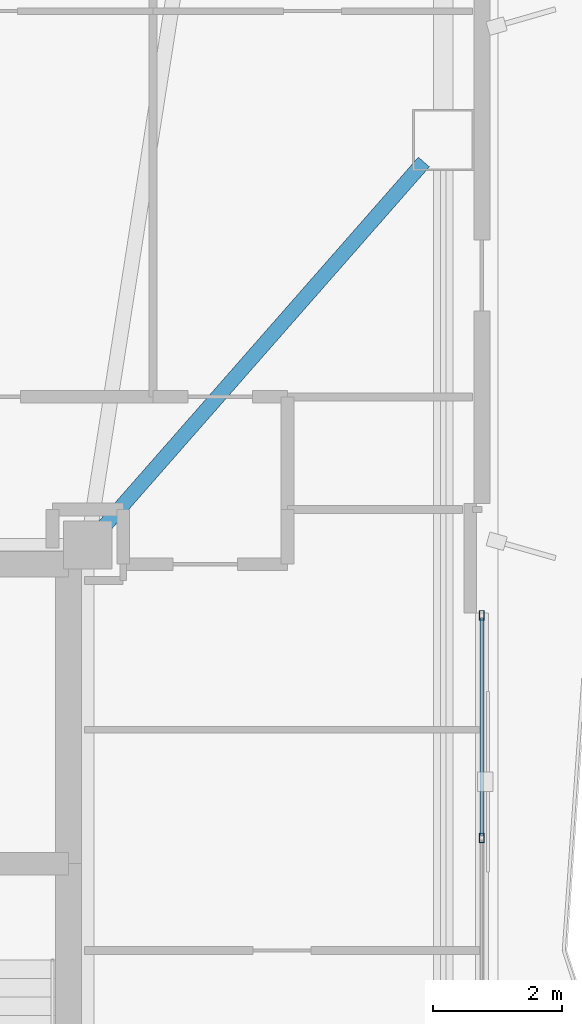
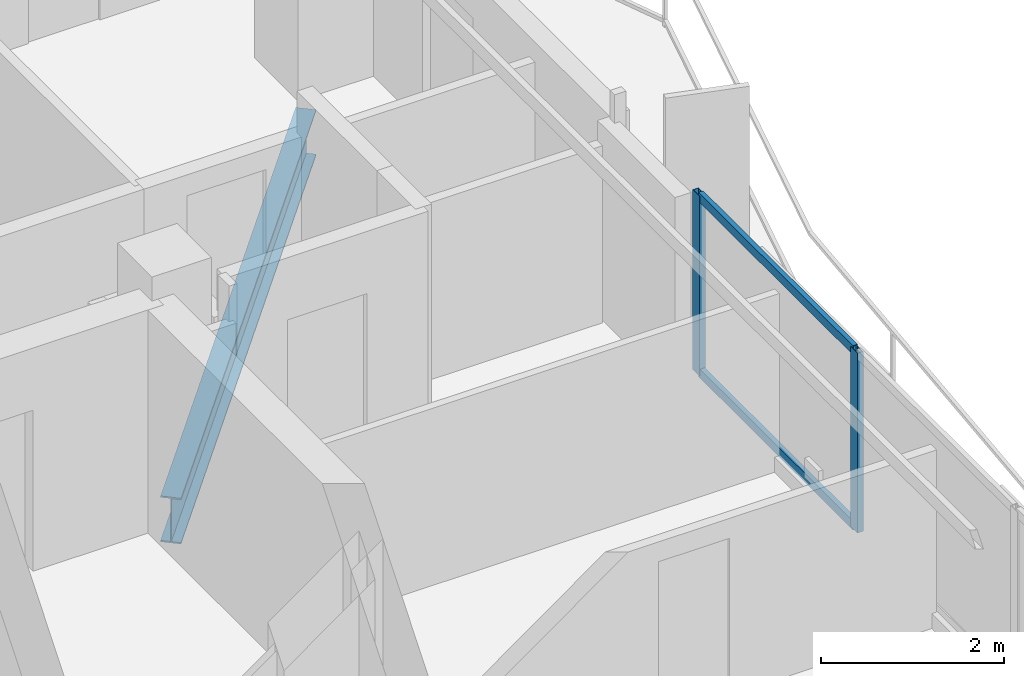
# One storey, part 9 of 18: 4 members, 1 beam, 1 element without a shape of its own.
"""IFC4 building model written with IfcOpenShell, lengths in metres."""

import ifcopenshell
import ifcopenshell.guid

model = None  # the IFC model being written
_history = None  # IfcOwnerHistory: only IFC2X3 demands one
_inside = {}  # id of a spatial element -> (the spatial element, [elements in it])
_under = {}  # id of a project, library or spatial element -> (it, [spatial elements below it])
_declared = {}  # id of a project -> (the project, [libraries it declares])
_typed = {}  # id of a type object -> (the type object, [elements of that type])
_made_of = {}  # id of a material, layer set ... -> (it, [elements and type objects made of it])


def new_model(schema):
    """Start an empty IFC model of exactly this schema.

    Asked for "IFC4X3", IfcOpenShell would pick the latest addendum, in which some entities
    have other attributes; the version numbers below select the first issue.
    IFC2X3 requires an IfcOwnerHistory on every rooted entity: one is made here for all.
    """
    global model, _history
    if schema == "IFC4X3":
        model = ifcopenshell.file(schema_version=(4, 3, 0, 0))
    else:
        model = ifcopenshell.file(schema=schema)
    _inside.clear()
    _under.clear()
    _declared.clear()
    _typed.clear()
    _made_of.clear()
    _history = None
    if model.schema == "IFC2X3":
        org = make("IfcOrganization", Name="unknown")
        user = make(
            "IfcPersonAndOrganization",
            ThePerson=make("IfcPerson", FamilyName="unknown"),
            TheOrganization=org,
        )
        app = make(
            "IfcApplication",
            ApplicationDeveloper=org,
            Version="unknown",
            ApplicationFullName="unknown",
            ApplicationIdentifier="unknown",
        )
        _history = make(
            "IfcOwnerHistory",
            OwningUser=user,
            OwningApplication=app,
            ChangeAction="ADDED",
            CreationDate=0,
        )
    return model


def make(cls, **values):
    """One entity of the class cls with the attributes given. An attribute that is None is left unset."""
    return model.create_entity(
        cls, **{name: value for name, value in values.items() if value is not None}
    )


def rooted(cls, **values):
    """An entity with a GlobalId (a new one), such as an element, a storey or a relation."""
    return make(cls, GlobalId=ifcopenshell.guid.new(), OwnerHistory=_history, **values)


def si_unit(unit_type, name, prefix=None):
    """IfcSIUnit, for example si_unit("LENGTHUNIT", "METRE", prefix="MILLI")."""
    return make("IfcSIUnit", UnitType=unit_type, Prefix=prefix, Name=name)


def assignment(units):
    """IfcUnitAssignment: the units of a project."""
    return None if units is None else make("IfcUnitAssignment", Units=units)


def point(xyz):
    """IfcCartesianPoint."""
    return None if xyz is None else make("IfcCartesianPoint", Coordinates=xyz)


def direction(xyz):
    """IfcDirection."""
    return None if xyz is None else make("IfcDirection", DirectionRatios=xyz)


def frame(location, z_axis=None, x_axis=None):
    """IfcAxis2Placement3D, a coordinate frame: its origin and axes. An axis left out is left unset."""
    return make(
        "IfcAxis2Placement3D",
        Location=point(location),
        Axis=direction(z_axis),
        RefDirection=direction(x_axis),
    )


def frame_2d(location, x_axis=None):
    """IfcAxis2Placement2D, a coordinate frame in the plane: its origin and x axis."""
    return make(
        "IfcAxis2Placement2D", Location=point(location), RefDirection=direction(x_axis)
    )


def origin():
    """The frame at (0, 0, 0) with its axes left unset."""
    return frame((0.0, 0.0, 0.0))


def origin_2d():
    """The frame at (0, 0) in the plane with its x axis left unset."""
    return frame_2d((0.0, 0.0))


def place(relative_to, where):
    """IfcLocalPlacement: puts the frame where relative to a parent placement (None: the world)."""
    return make(
        "IfcLocalPlacement", PlacementRelTo=relative_to, RelativePlacement=where
    )


def context(
    kind, dimensions, precision=None, world=None, true_north=None, identifier=None
):
    """IfcGeometricRepresentationContext, for example the 3D "Model" context."""
    return make(
        "IfcGeometricRepresentationContext",
        ContextIdentifier=identifier,
        ContextType=kind,
        CoordinateSpaceDimension=dimensions,
        Precision=precision,
        WorldCoordinateSystem=world,
        TrueNorth=true_north,
    )


def subcontext(parent, identifier, kind, view, scale=None):
    """IfcGeometricRepresentationSubContext, for example "Body" below "Model"."""
    return make(
        "IfcGeometricRepresentationSubContext",
        ContextIdentifier=identifier,
        ContextType=kind,
        ParentContext=parent,
        TargetScale=scale,
        TargetView=view,
    )


def project(units=None, contexts=None):
    """IfcProject with its units and contexts."""
    return rooted(
        "IfcProject",
        Name="project",
        RepresentationContexts=contexts,
        UnitsInContext=assignment(units),
    )


def spatial(cls, under=None, at=None, **own):
    """A site, building, storey or space (cls), placed at a placement, below another one or the project."""
    s = rooted(cls, ObjectPlacement=at, **own)
    if under is not None:
        _under.setdefault(under.id(), (under, []))[1].append(s)
    return s


def profile(cls, at=None, kind="AREA", **sizes):
    """A parametric profile (cls). Its sizes go by their IFC names, for example OverallWidth=200.0."""
    return make(cls, ProfileType=kind, Position=at, **sizes)


def hollow_rectangle(**sizes):
    """IfcRectangleHollowProfileDef."""
    return profile("IfcRectangleHollowProfileDef", **sizes)


def i_section(**sizes):
    """IfcIShapeProfileDef."""
    return profile("IfcIShapeProfileDef", **sizes)


def extrude(swept, where, along, depth):
    """IfcExtrudedAreaSolid: the profile swept, set in the frame where, extruded along a direction by depth."""
    return make(
        "IfcExtrudedAreaSolid",
        SweptArea=swept,
        Position=where,
        ExtrudedDirection=direction(along),
        Depth=depth,
    )


def shape(context_of_items, identifier, shape_type, items):
    """IfcShapeRepresentation: the items that make up one representation, for example the "Body"."""
    return make(
        "IfcShapeRepresentation",
        ContextOfItems=context_of_items,
        RepresentationIdentifier=identifier,
        RepresentationType=shape_type,
        Items=items,
    )


def material(Name=None, Category=None):
    """IfcMaterial."""
    return make("IfcMaterial", Name=Name, Category=Category)


def layer(
    of_material, thickness, ventilated=None, Name=None, Category=None, Priority=None
):
    """IfcMaterialLayer: one layer of a wall or slab, of a material (None: an air gap)."""
    return make(
        "IfcMaterialLayer",
        Material=of_material,
        LayerThickness=thickness,
        IsVentilated=ventilated,
        Name=Name,
        Category=Category,
        Priority=Priority,
    )


def layer_set(layers, Name=None):
    """IfcMaterialLayerSet."""
    return make("IfcMaterialLayerSet", MaterialLayers=layers, LayerSetName=Name)


def material_profile(
    of_material, cross_section, Name=None, Category=None, Priority=None
):
    """IfcMaterialProfile: a cross section and its material."""
    return make(
        "IfcMaterialProfile",
        Name=Name,
        Material=of_material,
        Profile=cross_section,
        Priority=Priority,
        Category=Category,
    )


def profile_set(profiles, Name=None, composite=None):
    """IfcMaterialProfileSet."""
    return make(
        "IfcMaterialProfileSet",
        Name=Name,
        MaterialProfiles=profiles,
        CompositeProfile=composite,
    )


def made_of(thing, what):
    """Note that an element or type object is made of a material, layer set ...; save() writes the relation."""
    if what is not None:
        _made_of.setdefault(what.id(), (what, []))[1].append(thing)
    return thing


def type_object(cls, material=None, **own):
    """A type object (cls), such as IfcWallType, which elements share."""
    return made_of(rooted(cls, **own), material)


def element(
    cls,
    number,
    at=None,
    inside=None,
    cuts=None,
    type_object=None,
    material=None,
    context=None,
    identifier="Body",
    shape_type=None,
    held_by="IfcProductDefinitionShape",
    body=None,
    shapes=None,
    **own,
):
    """One element of the class cls, such as IfcWall. Its Tag is "e" and its number.

    at: its placement. inside: the storey or other place that contains it. cuts: it is an
    opening in that element (IfcRelVoidsElement). A single representation is given by context,
    identifier, shape_type and body (its items); several are given by shapes. held_by: the class
    of the entity that holds the representations. save() writes the other relations.
    """
    e = rooted(cls, Tag="e%d" % number, ObjectPlacement=at, **own)
    if body is not None:
        shapes = [shape(context, identifier, shape_type, body)]
    if shapes is not None:
        e.Representation = make(held_by, Representations=shapes)
    if inside is not None:
        _inside.setdefault(inside.id(), (inside, []))[1].append(e)
    if cuts is not None:
        rooted(
            "IfcRelVoidsElement", RelatingBuildingElement=cuts, RelatedOpeningElement=e
        )
    if type_object is not None:
        _typed.setdefault(type_object.id(), (type_object, []))[1].append(e)
    return made_of(e, material)


def aggregate(whole, parts):
    """IfcRelAggregates: a whole, such as a stair, and the parts it consists of."""
    return rooted("IfcRelAggregates", RelatingObject=whole, RelatedObjects=parts)


def save(model, path):
    """Write the relations noted so far, then the file.

    IfcRelAggregates (storeys below a building ...), IfcRelContainedInSpatialStructure (elements
    in a storey), IfcRelDefinesByType, IfcRelAssociatesMaterial and IfcRelDeclares: one each for
    every whole, place, type object, material and project.
    """
    for whole, parts in _under.values():
        aggregate(whole, parts)
    for where, things in _inside.values():
        rooted(
            "IfcRelContainedInSpatialStructure",
            RelatedElements=things,
            RelatingStructure=where,
        )
    for kind, things in _typed.values():
        rooted("IfcRelDefinesByType", RelatedObjects=things, RelatingType=kind)
    for what, things in _made_of.values():
        rooted("IfcRelAssociatesMaterial", RelatedObjects=things, RelatingMaterial=what)
    for by, libraries in _declared.values():
        rooted("IfcRelDeclares", RelatingContext=by, RelatedDefinitions=libraries)
    model.write(path)


model = new_model("IFC4")

# Units and contexts
model_context = context("Model", 3, precision=1e-05, world=origin(), true_north=direction((0.0, 1.0)))
body_context = subcontext(model_context, "Body", "Model", "MODEL_VIEW")
ifc_project = project(units=[si_unit("LENGTHUNIT", "METRE"), si_unit("AREAUNIT", "SQUARE_METRE"), si_unit("VOLUMEUNIT", "CUBIC_METRE"), si_unit("PLANEANGLEUNIT", "RADIAN"), si_unit("MASSUNIT", "GRAM", prefix="KILO")], contexts=[model_context])

# Site, building, storey
site_placement = place(None, origin())
site = spatial("IfcSite", under=ifc_project, at=site_placement, CompositionType="ELEMENT")
building_placement = place(site_placement, origin())
building = spatial("IfcBuilding", under=site, at=building_placement, Name="Mersakhor Tower and Convention Hall", CompositionType="ELEMENT")
storey_placement = place(building_placement, frame((0.0, 0.0, 157.5)))
storey = spatial("IfcBuildingStorey", under=building, at=storey_placement, Name="L44", CompositionType="ELEMENT", Elevation=157.5)

# Beam
ifc_material_1 = material(Name="Steel S355", Category="steel")
ifc_material_profile_1 = material_profile(ifc_material_1, i_section(OverallWidth=0.22900390625, OverallDepth=0.6123046875, WebThickness=0.011962890625, FlangeThickness=0.01953125, at=origin_2d()), Name="UB 610x229x125")
ifc_profile_set_1 = profile_set([ifc_material_profile_1], Name="Steel S355")
beam_type = type_object("IfcBeamType", Name="BM-PR-610", PredefinedType="BEAM", material=ifc_profile_set_1)
beam_placement = place(storey_placement, frame((36.334228515625, 33.31689453125, -0.546142578125), z_axis=(0.65963831109, 0.751583194691, 0.0), x_axis=(-0.751583194691, 0.65963831109, 0.0)))
element("IfcBeam", 1, at=beam_placement, inside=storey, type_object=beam_type, Name="L44 Primary Floor Girder FG-3", PredefinedType="BEAM", context=body_context, shape_type="SweptSolid", body=[
    extrude(i_section(OverallWidth=0.22900390625, OverallDepth=0.6123046875, WebThickness=0.011962890625, FlangeThickness=0.01953125, at=origin_2d()), origin(), (0.0, 0.0, 1.0), 7.556884765625),
])

# Curtain wall, members
ifc_material_2 = material(Name="Dark solar low-E aluminium curtain wall", Category="aluminium")
ifc_layer = layer(ifc_material_2, 0.169921875)
ifc_layer_set = layer_set([ifc_layer], Name="Dark solar low-E aluminium curtain wall")
curtain_wall_type = type_object("IfcCurtainWallType", Name="CW-SYS-02", PredefinedType="USERDEFINED", material=ifc_layer_set)
curtain_wall_placement = place(storey_placement, origin())
curtain_wall = element("IfcCurtainWall", 2, at=curtain_wall_placement, inside=storey, type_object=curtain_wall_type, Name="L44 Dark-Glass Curtain Wall F2-B2", ObjectType="CURTAIN WALL", PredefinedType="USERDEFINED")
ifc_material_3 = material(Name="Anodised aluminium EN AW-6063 T6", Category="aluminium")
ifc_material_profile_2 = material_profile(ifc_material_3, hollow_rectangle(XDim=0.074951171875, YDim=0.14990234375, WallThickness=0.00634765625, at=origin_2d()), Name="RHS 150x75x6.3")
ifc_profile_set_2 = profile_set([ifc_material_profile_2], Name="Anodised aluminium EN AW-6063 T6")
member_type_1 = type_object("IfcMemberType", Name="CWM-150x75", PredefinedType="MULLION", material=ifc_profile_set_2)
member_1_placement = place(storey_placement, frame((42.21923828125, 31.95556640625, 0.199951171875), z_axis=(0.0, 0.0, 1.0), x_axis=(1.0, 0.0, 0.0)))
member_1 = element("IfcMember", 3, at=member_1_placement, type_object=member_type_1, Name="CW-02 mullion 1", PredefinedType="MULLION", context=body_context, shape_type="SweptSolid", body=[
    extrude(hollow_rectangle(XDim=0.074951171875, YDim=0.14990234375, WallThickness=0.00634765625, at=origin_2d()), origin(), (0.0, 0.0, 1.0), 2.400146484375),
])
member_2_placement = place(storey_placement, frame((42.21923828125, 28.49755859375, 0.199951171875), z_axis=(0.0, 0.0, 1.0), x_axis=(1.0, 0.0, 0.0)))
member_2 = element("IfcMember", 4, at=member_2_placement, type_object=member_type_1, Name="CW-02 mullion 2", PredefinedType="MULLION", context=body_context, shape_type="SweptSolid", body=[
    extrude(hollow_rectangle(XDim=0.074951171875, YDim=0.14990234375, WallThickness=0.00634765625, at=origin_2d()), origin(), (0.0, 0.0, 1.0), 2.400146484375),
])
ifc_material_4 = material(Name="Anodised aluminium EN AW-6063 T6", Category="aluminium")
ifc_material_profile_3 = material_profile(ifc_material_4, hollow_rectangle(XDim=0.06005859375, YDim=0.1201171875, WallThickness=0.0048828125, at=origin_2d()), Name="RHS 120x60x5")
ifc_profile_set_3 = profile_set([ifc_material_profile_3], Name="Anodised aluminium EN AW-6063 T6")
member_type_2 = type_object("IfcMemberType", Name="CWT-120x60", PredefinedType="USERDEFINED", material=ifc_profile_set_3)
member_3_placement = place(storey_placement, frame((42.21923828125, 31.91796875, 0.22998046875), z_axis=(0.0, -1.0, 0.0), x_axis=(1.0, 0.0, 0.0)))
member_3 = element("IfcMember", 5, at=member_3_placement, type_object=member_type_2, Name="CW-02 transom 1.1", ObjectType="TRANSOM", PredefinedType="USERDEFINED", context=body_context, shape_type="SweptSolid", body=[
    extrude(hollow_rectangle(XDim=0.06005859375, YDim=0.1201171875, WallThickness=0.0048828125, at=origin_2d()), origin(), (0.0, 0.0, 1.0), 3.3828125),
])
member_4_placement = place(storey_placement, frame((42.21923828125, 31.91796875, 2.570068359375), z_axis=(0.0, -1.0, 0.0), x_axis=(1.0, 0.0, 0.0)))
member_4 = element("IfcMember", 6, at=member_4_placement, type_object=member_type_2, Name="CW-02 transom 1.2", ObjectType="TRANSOM", PredefinedType="USERDEFINED", context=body_context, shape_type="SweptSolid", body=[
    extrude(hollow_rectangle(XDim=0.06005859375, YDim=0.1201171875, WallThickness=0.0048828125, at=origin_2d()), origin(), (0.0, 0.0, 1.0), 3.3828125),
])
aggregate(curtain_wall, [member_1, member_2, member_3, member_4])

save(model, "model.ifc")
